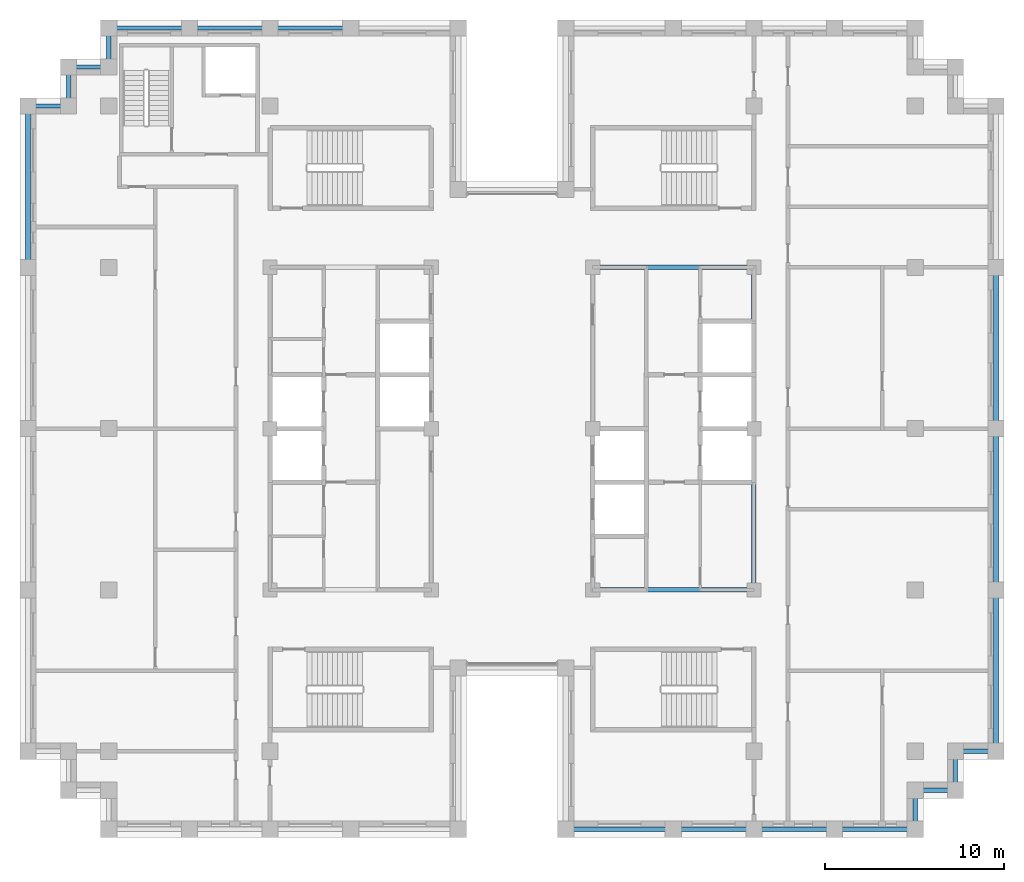
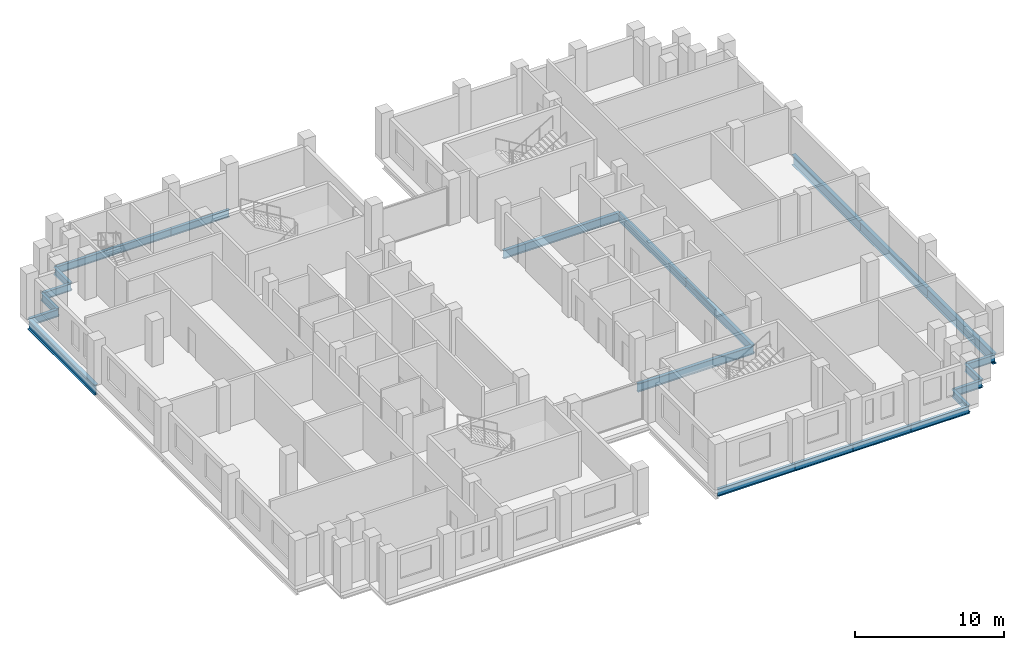
# One storey, part 3 of 13: 23 beams.
"""IFC4 building model written with IfcOpenShell, lengths in metres."""

from ifc_helpers import new_model, si_unit, direction, frame, origin, origin_2d, place, context, subcontext, project, spatial, i_section, extrude, material, material_profile, profile_set, type_object, element, save


model = new_model("IFC4")

# Units and contexts
model_context = context("Model", 3, precision=1e-05, world=origin(), true_north=direction((0.0, 1.0)))
body_context = subcontext(model_context, "Body", "Model", "MODEL_VIEW")
ifc_project = project(units=[si_unit("LENGTHUNIT", "METRE"), si_unit("AREAUNIT", "SQUARE_METRE"), si_unit("VOLUMEUNIT", "CUBIC_METRE"), si_unit("PLANEANGLEUNIT", "RADIAN"), si_unit("MASSUNIT", "GRAM", prefix="KILO")], contexts=[model_context])

# Site, building, storey
site_placement = place(None, origin())
site = spatial("IfcSite", under=ifc_project, at=site_placement, CompositionType="ELEMENT")
building_placement = place(site_placement, origin())
building = spatial("IfcBuilding", under=site, at=building_placement, Name="Corbelhall Arena Tower", CompositionType="ELEMENT")
storey_placement = place(building_placement, frame((0.0, 0.0, 258.0)))
storey = spatial("IfcBuildingStorey", under=building, at=storey_placement, Name="L55", CompositionType="ELEMENT", Elevation=258.0)

# Beams
ifc_material = material(Name="Steel ASTM A992 Gr50", Category="steel")
ifc_material_profile_1 = material_profile(ifc_material, i_section(OverallWidth=0.25390625, OverallDepth=0.67822265625, WebThickness=0.01171875, FlangeThickness=0.016357421875, at=origin_2d()))
ifc_profile_set_1 = profile_set([ifc_material_profile_1], Name="Steel ASTM A992 Gr50")
beam_type_1 = type_object("IfcBeamType", Name="ST-BEAM-W27x84", PredefinedType="BEAM", material=ifc_profile_set_1)
for number, where, z_axis, x_axis, name in (
    (1, (13.5, -9.0, -0.619140625), (0.0, 1.0, 0.0), (-1.0, 0.0, 0.0), "Beam CEE 9"),
    (2, (13.5, 0.0, -0.619140625), (0.0, 1.0, 0.0), (-1.0, 0.0, 0.0), "Beam CEE 10"),
    (3, (4.5, -9.0, -0.619140625), (1.0, 0.0, 0.0), (0.0, 1.0, 0.0), "Beam CEE 11"),
    (4, (4.5, 9.0, -0.619140625), (1.0, 0.0, 0.0), (0.0, 1.0, 0.0), "Beam CEE 12"),
):
    element("IfcBeam", number, at=place(storey_placement, frame(where, z_axis=z_axis, x_axis=x_axis)), inside=storey, type_object=beam_type_1, Name=name, PredefinedType="BEAM", context=body_context, shape_type="SweptSolid", body=[
        extrude(i_section(OverallWidth=0.25390625, OverallDepth=0.67822265625, WebThickness=0.01171875, FlangeThickness=0.016357421875, at=origin_2d()), origin(), (0.0, 0.0, 1.0), 9.0),
    ])
ifc_material_profile_2 = material_profile(ifc_material, i_section(OverallWidth=0.227783203125, OverallDepth=0.60205078125, WebThickness=0.010498046875, FlangeThickness=0.014892578125, at=origin_2d()))
ifc_profile_set_2 = profile_set([ifc_material_profile_2], Name="Steel ASTM A992 Gr50")
beam_type_2 = type_object("IfcBeamType", Name="ST-SPANDREL-W24x68", PredefinedType="SPANDREL", material=ifc_profile_set_2)
beam_1_placement = place(storey_placement, frame((27.0, -18.0, -0.5810546875), z_axis=(-1.0, 0.0, 0.0), x_axis=(0.0, -1.0, 0.0)))
element("IfcBeam", 5, at=beam_1_placement, inside=storey, type_object=beam_type_2, Name="Beam SP 5", PredefinedType="SPANDREL", context=body_context, shape_type="SweptSolid", body=[
    extrude(i_section(OverallWidth=0.227783203125, OverallDepth=0.60205078125, WebThickness=0.010498046875, FlangeThickness=0.014892578125, at=origin_2d()), origin(), (0.0, 0.0, 1.0), 2.25),
])
for number, where, z_axis, x_axis, name in (
    (6, (-13.5, 22.35009765625, -0.5810546875), (1.0, 0.0, 0.0), (0.0, 1.0, 0.0), "Beam SP 13"),
    (7, (-18.0, 22.35009765625, -0.5810546875), (1.0, 0.0, 0.0), (0.0, 1.0, 0.0), "Beam SP 14"),
    (8, (-22.5, 22.35009765625, -0.5810546875), (1.0, 0.0, 0.0), (0.0, 1.0, 0.0), "Beam SP 15"),
):
    element("IfcBeam", number, at=place(storey_placement, frame(where, z_axis=z_axis, x_axis=x_axis)), inside=storey, type_object=beam_type_2, Name=name, PredefinedType="SPANDREL", context=body_context, shape_type="SweptSolid", body=[
        extrude(i_section(OverallWidth=0.227783203125, OverallDepth=0.60205078125, WebThickness=0.010498046875, FlangeThickness=0.014892578125, at=origin_2d()), origin(), (0.0, 0.0, 1.0), 4.5),
    ])
beam_2_placement = place(storey_placement, frame((9.0, -22.35009765625, -0.5810546875), z_axis=(-1.0, 0.0, 0.0), x_axis=(0.0, -1.0, 0.0)))
element("IfcBeam", 9, at=beam_2_placement, inside=storey, type_object=beam_type_2, Name="Beam SP 17", PredefinedType="SPANDREL", context=body_context, shape_type="SweptSolid", body=[
    extrude(i_section(OverallWidth=0.227783203125, OverallDepth=0.60205078125, WebThickness=0.010498046875, FlangeThickness=0.014892578125, at=origin_2d()), origin(), (0.0, 0.0, 1.0), 6.0),
])
for number, where, z_axis, x_axis, name in (
    (10, (13.5, -22.35009765625, -0.5810546875), (-1.0, 0.0, 0.0), (0.0, -1.0, 0.0), "Beam SP 18"),
    (11, (18.0, -22.35009765625, -0.5810546875), (-1.0, 0.0, 0.0), (0.0, -1.0, 0.0), "Beam SP 19"),
    (12, (22.5, -22.35009765625, -0.5810546875), (-1.0, 0.0, 0.0), (0.0, -1.0, 0.0), "Beam SP 20"),
):
    element("IfcBeam", number, at=place(storey_placement, frame(where, z_axis=z_axis, x_axis=x_axis)), inside=storey, type_object=beam_type_2, Name=name, PredefinedType="SPANDREL", context=body_context, shape_type="SweptSolid", body=[
        extrude(i_section(OverallWidth=0.227783203125, OverallDepth=0.60205078125, WebThickness=0.010498046875, FlangeThickness=0.014892578125, at=origin_2d()), origin(), (0.0, 0.0, 1.0), 4.5),
    ])
beam_3_placement = place(storey_placement, frame((-27.0, 18.0, -0.5810546875), z_axis=(1.0, 0.0, 0.0), x_axis=(0.0, 1.0, 0.0)))
element("IfcBeam", 13, at=beam_3_placement, inside=storey, type_object=beam_type_2, Name="Beam SP 28", PredefinedType="SPANDREL", context=body_context, shape_type="SweptSolid", body=[
    extrude(i_section(OverallWidth=0.227783203125, OverallDepth=0.60205078125, WebThickness=0.010498046875, FlangeThickness=0.014892578125, at=origin_2d()), origin(), (0.0, 0.0, 1.0), 2.25),
])
beam_4_placement = place(storey_placement, frame((-22.5, 20.175048828125, -0.5810546875), z_axis=(0.0, 1.0, 0.0), x_axis=(-1.0, 0.0, 0.0)))
element("IfcBeam", 14, at=beam_4_placement, inside=storey, type_object=beam_type_2, Name="Beam SP 38", PredefinedType="SPANDREL", context=body_context, shape_type="SweptSolid", body=[
    extrude(i_section(OverallWidth=0.227783203125, OverallDepth=0.60205078125, WebThickness=0.010498046875, FlangeThickness=0.014892578125, at=origin_2d()), origin(), (0.0, 0.0, 1.0), 2.175048828125),
])
beam_5_placement = place(storey_placement, frame((-24.75, 20.175048828125, -0.5810546875), z_axis=(1.0, 0.0, 0.0), x_axis=(0.0, 1.0, 0.0)))
element("IfcBeam", 15, at=beam_5_placement, inside=storey, type_object=beam_type_2, Name="Beam SP 39", PredefinedType="SPANDREL", context=body_context, shape_type="SweptSolid", body=[
    extrude(i_section(OverallWidth=0.227783203125, OverallDepth=0.60205078125, WebThickness=0.010498046875, FlangeThickness=0.014892578125, at=origin_2d()), origin(), (0.0, 0.0, 1.0), 2.25),
])
for number, where, z_axis, x_axis, name in (
    (16, (-24.75, 18.0, -0.5810546875), (0.0, 1.0, 0.0), (-1.0, 0.0, 0.0), "Beam SP 40"),
    (17, (22.5, -20.175048828125, -0.5810546875), (0.0, -1.0, 0.0), (1.0, 0.0, 0.0), "Beam SP 41"),
):
    element("IfcBeam", number, at=place(storey_placement, frame(where, z_axis=z_axis, x_axis=x_axis)), inside=storey, type_object=beam_type_2, Name=name, PredefinedType="SPANDREL", context=body_context, shape_type="SweptSolid", body=[
        extrude(i_section(OverallWidth=0.227783203125, OverallDepth=0.60205078125, WebThickness=0.010498046875, FlangeThickness=0.014892578125, at=origin_2d()), origin(), (0.0, 0.0, 1.0), 2.175048828125),
    ])
beam_6_placement = place(storey_placement, frame((24.75, -20.175048828125, -0.5810546875), z_axis=(-1.0, 0.0, 0.0), x_axis=(0.0, -1.0, 0.0)))
element("IfcBeam", 18, at=beam_6_placement, inside=storey, type_object=beam_type_2, Name="Beam SP 42", PredefinedType="SPANDREL", context=body_context, shape_type="SweptSolid", body=[
    extrude(i_section(OverallWidth=0.227783203125, OverallDepth=0.60205078125, WebThickness=0.010498046875, FlangeThickness=0.014892578125, at=origin_2d()), origin(), (0.0, 0.0, 1.0), 2.25),
])
beam_7_placement = place(storey_placement, frame((24.75, -18.0, -0.5810546875), z_axis=(0.0, -1.0, 0.0), x_axis=(1.0, 0.0, 0.0)))
element("IfcBeam", 19, at=beam_7_placement, inside=storey, type_object=beam_type_2, Name="Beam SP 43", PredefinedType="SPANDREL", context=body_context, shape_type="SweptSolid", body=[
    extrude(i_section(OverallWidth=0.227783203125, OverallDepth=0.60205078125, WebThickness=0.010498046875, FlangeThickness=0.014892578125, at=origin_2d()), origin(), (0.0, 0.0, 1.0), 2.175048828125),
])
ifc_material_profile_3 = material_profile(ifc_material, i_section(OverallWidth=0.2919921875, OverallDepth=0.845703125, WebThickness=0.015380859375, FlangeThickness=0.0244140625, at=origin_2d()))
ifc_profile_set_3 = profile_set([ifc_material_profile_3], Name="Steel ASTM A992 Gr50")
beam_type_3 = type_object("IfcBeamType", Name="ST-SPANDREL-W33x141", PredefinedType="SPANDREL", material=ifc_profile_set_3)
for number, where, z_axis, x_axis, name in (
    (20, (27.0, 0.0, -0.702880859375), (0.0, -1.0, 0.0), (1.0, 0.0, 0.0), "Beam SP 1"),
    (21, (27.0, 9.0, -0.702880859375), (0.0, -1.0, 0.0), (1.0, 0.0, 0.0), "Beam SP 2"),
    (22, (27.0, -9.0, -0.702880859375), (0.0, -1.0, 0.0), (1.0, 0.0, 0.0), "Beam SP 4"),
    (23, (-27.0, 9.0, -0.702880859375), (0.0, 1.0, 0.0), (-1.0, 0.0, 0.0), "Beam SP 27"),
):
    element("IfcBeam", number, at=place(storey_placement, frame(where, z_axis=z_axis, x_axis=x_axis)), inside=storey, type_object=beam_type_3, Name=name, PredefinedType="SPANDREL", context=body_context, shape_type="SweptSolid", body=[
        extrude(i_section(OverallWidth=0.2919921875, OverallDepth=0.845703125, WebThickness=0.015380859375, FlangeThickness=0.0244140625, at=origin_2d()), origin(), (0.0, 0.0, 1.0), 9.0),
    ])

save(model, "model.ifc")
